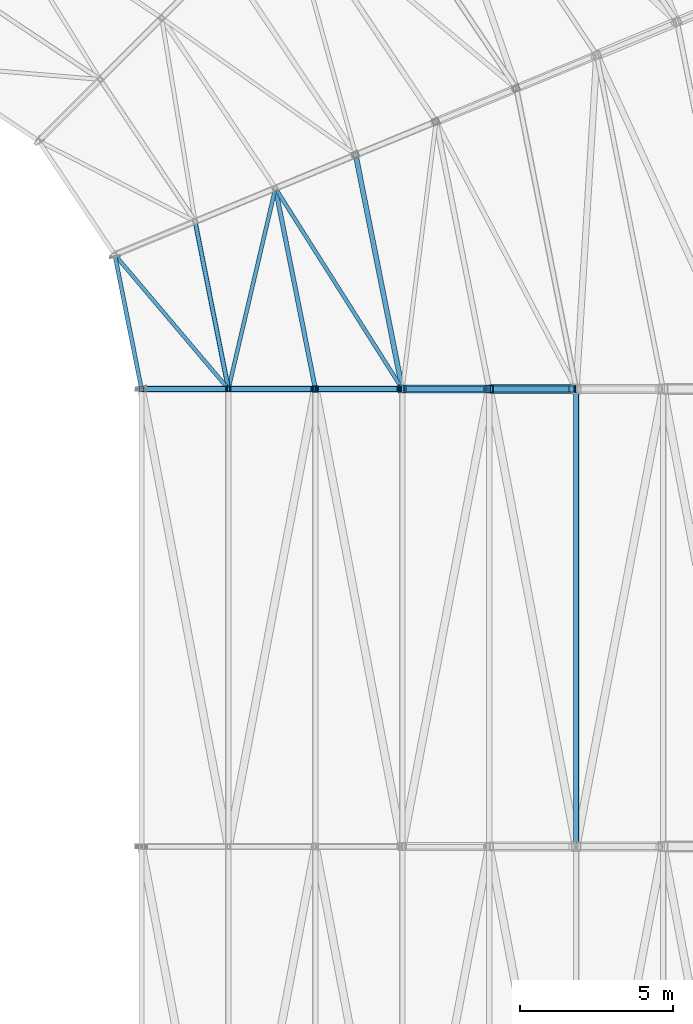
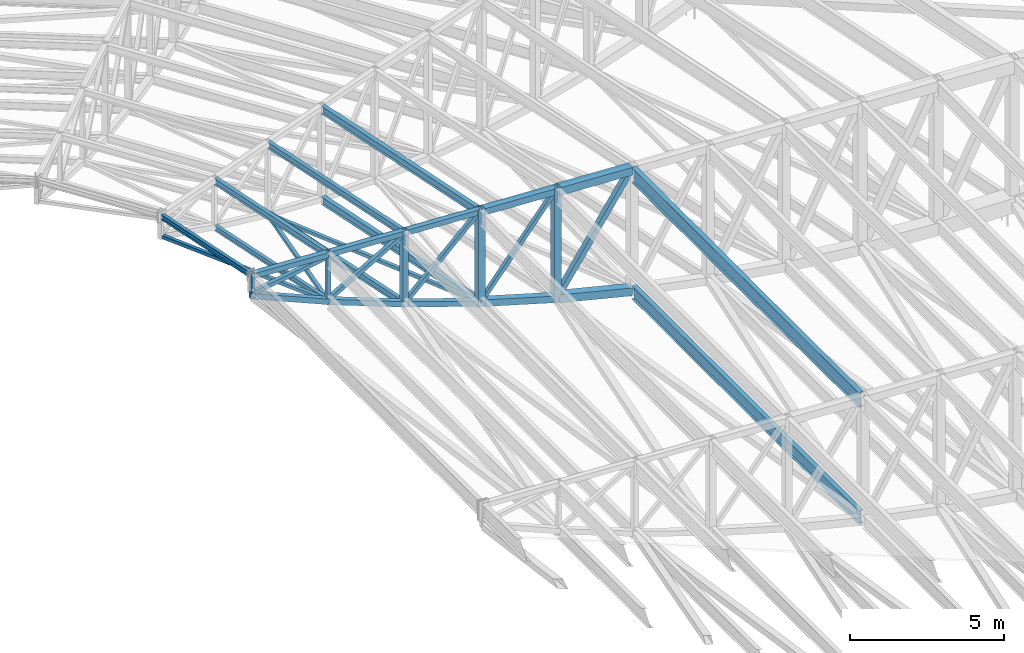
# One storey, part 96 of 278: 17 members, 15 beams.
"""IFC4 building model written with IfcOpenShell, lengths in metres."""

from ifc_helpers import new_model, si_unit, direction, frame, origin, origin_2d, place, context, subcontext, project, spatial, hollow_rectangle, i_section, extrude, material, material_profile, profile_set, type_object, element, save


model = new_model("IFC4")

# Units and contexts
model_context = context("Model", 3, precision=1e-05, world=origin(), true_north=direction((0.0, 1.0)))
body_context = subcontext(model_context, "Body", "Model", "MODEL_VIEW")
ifc_project = project(units=[si_unit("LENGTHUNIT", "METRE"), si_unit("AREAUNIT", "SQUARE_METRE"), si_unit("VOLUMEUNIT", "CUBIC_METRE"), si_unit("PLANEANGLEUNIT", "RADIAN"), si_unit("MASSUNIT", "GRAM", prefix="KILO")], contexts=[model_context])

# Site, building, storey
site_placement = place(None, origin())
site = spatial("IfcSite", under=ifc_project, at=site_placement, CompositionType="ELEMENT")
building_placement = place(site_placement, origin())
building = spatial("IfcBuilding", under=site, at=building_placement, Name="Ogive Plaza Stadium", CompositionType="ELEMENT")
storey_placement = place(building_placement, frame((0.0, 0.0, 29.0)))
storey = spatial("IfcBuildingStorey", under=building, at=storey_placement, Name="Roof", CompositionType="ELEMENT", Elevation=29.0)

# Members
ifc_material_1 = material(Name="Steel ASTM A500 Grade C", Category="steel")
ifc_material_profile_1 = material_profile(ifc_material_1, hollow_rectangle(XDim=0.126953125, YDim=0.126953125, WallThickness=0.005859375, at=origin_2d()), Name="HSS5X5X1/4")
ifc_profile_set_1 = profile_set([ifc_material_profile_1], Name="Steel ASTM A500 Grade C")
member_type_1 = type_object("IfcMemberType", Name="Roof plan brace HSS5X5X1/4", PredefinedType="BRACE", material=ifc_profile_set_1)
member_1_placement = place(storey_placement, frame((44.670166015625, 56.84716796875, 6.51171875), z_axis=(0.632084810246, -0.746705370574, -0.207122867429), x_axis=(0.763256638143, 0.646095429739, 0.0)))
element("IfcMember", 1, at=member_1_placement, inside=storey, type_object=member_type_1, Name="ROOF BRACE B40 1", PredefinedType="BRACE", context=body_context, shape_type="SweptSolid", body=[
    extrude(hollow_rectangle(XDim=0.126953125, YDim=0.126953125, WallThickness=0.005859375, at=origin_2d()), origin(), (0.0, 0.0, 1.0), 5.695556640625),
])
member_2_placement = place(storey_placement, frame((48.364501953125, 52.5615234375, 5.295654296875), z_axis=(0.224974455098, 0.961217902804, -0.159520023456), x_axis=(-0.973686254096, 0.227892690942, 0.0)))
element("IfcMember", 2, at=member_2_placement, inside=storey, type_object=member_type_1, Name="ROOF BRACE B40 2", PredefinedType="BRACE", context=body_context, shape_type="SweptSolid", body=[
    extrude(hollow_rectangle(XDim=0.126953125, YDim=0.126953125, WallThickness=0.005859375, at=origin_2d()), origin(), (0.0, 0.0, 1.0), 6.6728515625),
])
member_3_placement = place(storey_placement, frame((49.921875, 59.032958984375, 4.206298828125), z_axis=(0.530140708095, -0.838964253402, -0.122840592371), x_axis=(0.845366710176, 0.534186414397, 0.0)))
element("IfcMember", 3, at=member_3_placement, inside=storey, type_object=member_type_1, Name="ROOF BRACE B40 3", PredefinedType="BRACE", context=body_context, shape_type="SweptSolid", body=[
    extrude(hollow_rectangle(XDim=0.126953125, YDim=0.126953125, WallThickness=0.005859375, at=origin_2d()), origin(), (0.0, 0.0, 1.0), 7.65576171875),
])
ifc_material_2 = material(Name="Steel ASTM A992 Grade 50", Category="steel")
ifc_material_profile_2 = material_profile(ifc_material_2, i_section(OverallWidth=0.14599609375, OverallDepth=0.25830078125, WebThickness=0.006103515625, FlangeThickness=0.009033203125, at=origin_2d()), Name="W10X22")
ifc_profile_set_2 = profile_set([ifc_material_profile_2], Name="Steel ASTM A992 Grade 50")
member_type_2 = type_object("IfcMemberType", Name="Roof plan strut W10X22", PredefinedType="STRUT", material=ifc_profile_set_2)
member_4_placement = place(storey_placement, frame((49.90283203125, 59.021240234375, 4.213623046875), z_axis=(0.195099869772, -0.980783381188, 0.0), x_axis=(0.980783381188, 0.195099869772, 0.0)))
element("IfcMember", 4, at=member_4_placement, inside=storey, type_object=member_type_2, Name="ROOF STRUT B40 2", PredefinedType="STRUT", context=body_context, shape_type="SweptSolid", body=[
    extrude(i_section(OverallWidth=0.14599609375, OverallDepth=0.25830078125, WebThickness=0.006103515625, FlangeThickness=0.009033203125, at=origin_2d()), origin(), (0.0, 0.0, 1.0), 6.560791015625),
])
ifc_material_3 = material(Name="Steel ASTM A992 Grade 50", Category="steel")
ifc_material_profile_3 = material_profile(ifc_material_3, i_section(OverallWidth=0.164794921875, OverallDepth=0.310302734375, WebThickness=0.005859375, FlangeThickness=0.009765625, at=origin_2d()), Name="W12X26")
ifc_profile_set_3 = profile_set([ifc_material_profile_3], Name="Steel ASTM A992 Grade 50")
member_type_3 = type_object("IfcMemberType", Name="Roof plan strut W12X26", PredefinedType="STRUT", material=ifc_profile_set_3)
member_5_placement = place(storey_placement, frame((52.541259765625, 60.08447265625, 3.249755859375), z_axis=(0.195102482268, -0.9807828615, 0.0), x_axis=(0.9807828615, 0.195102482268, 0.0)))
element("IfcMember", 5, at=member_5_placement, inside=storey, type_object=member_type_3, Name="ROOF STRUT B40 3", PredefinedType="STRUT", context=body_context, shape_type="SweptSolid", body=[
    extrude(i_section(OverallWidth=0.164794921875, OverallDepth=0.310302734375, WebThickness=0.005859375, FlangeThickness=0.009765625, at=origin_2d()), origin(), (0.0, 0.0, 1.0), 7.643310546875),
])
ifc_material_4 = material(Name="Steel ASTM A992 Grade 50", Category="steel")
ifc_material_profile_4 = material_profile(ifc_material_4, i_section(OverallWidth=0.1650390625, OverallDepth=0.524658203125, WebThickness=0.0087890625, FlangeThickness=0.011474609375, at=origin_2d()), Name="W21X44")
ifc_profile_set_4 = profile_set([ifc_material_profile_4], Name="Steel ASTM A992 Grade 50")
member_type_4 = type_object("IfcMemberType", Name="Roof plan strut W21X44", PredefinedType="STRUT", material=ifc_profile_set_4)
member_6_placement = place(storey_placement, frame((59.75, 52.377685546875, 1.758544921875), z_axis=(0.0, -1.0, 0.0), x_axis=(1.0, 0.0, 0.0)))
element("IfcMember", 6, at=member_6_placement, inside=storey, type_object=member_type_4, Name="ROOF STRUT B01 5", PredefinedType="STRUT", context=body_context, shape_type="SweptSolid", body=[
    extrude(i_section(OverallWidth=0.1650390625, OverallDepth=0.524658203125, WebThickness=0.0087890625, FlangeThickness=0.011474609375, at=origin_2d()), origin(), (0.0, 0.0, 1.0), 14.75537109375),
])
ifc_material_5 = material(Name="Steel ASTM A992 Grade 50", Category="steel")
ifc_material_profile_5 = material_profile(ifc_material_5, i_section(OverallWidth=0.13330078125, OverallDepth=0.206787109375, WebThickness=0.005859375, FlangeThickness=0.00830078125, at=origin_2d()), Name="W8X18")
ifc_profile_set_5 = profile_set([ifc_material_profile_5], Name="Steel ASTM A992 Grade 50")
member_type_5 = type_object("IfcMemberType", Name="Roof plan strut W8X18", PredefinedType="STRUT", material=ifc_profile_set_5)
member_7_placement = place(storey_placement, frame((47.26953125, 57.931640625, 5.305908203125), z_axis=(0.195104522491, -0.980782455646, 0.0), x_axis=(0.980782455646, 0.195104522491, 0.0)))
element("IfcMember", 7, at=member_7_placement, inside=storey, type_object=member_type_5, Name="ROOF STRUT B40 1", PredefinedType="STRUT", context=body_context, shape_type="SweptSolid", body=[
    extrude(i_section(OverallWidth=0.13330078125, OverallDepth=0.206787109375, WebThickness=0.005859375, FlangeThickness=0.00830078125, at=origin_2d()), origin(), (0.0, 0.0, 1.0), 5.47705078125),
])
ifc_material_6 = material(Name="Steel ASTM A992 Grade 50", Category="steel")
ifc_material_profile_6 = material_profile(ifc_material_6, i_section(OverallWidth=0.14599609375, OverallDepth=0.25830078125, WebThickness=0.006103515625, FlangeThickness=0.009033203125, at=origin_2d()), Name="W10X22")
ifc_profile_set_6 = profile_set([ifc_material_profile_6], Name="Steel ASTM A992 Grade 50")
member_type_6 = type_object("IfcMemberType", Name="Roof purlin W10X22", PredefinedType="PURLIN", material=ifc_profile_set_6)
member_8_placement = place(storey_placement, frame((47.269775390625, 57.930419921875, 7.1533203125), z_axis=(0.195104062379, -0.980782547175, 0.0), x_axis=(0.980782547175, 0.195104062379, 0.0)))
element("IfcMember", 8, at=member_8_placement, inside=storey, type_object=member_type_6, Name="ROOF PURLIN B40 1", PredefinedType="PURLIN", context=body_context, shape_type="SweptSolid", body=[
    extrude(i_section(OverallWidth=0.14599609375, OverallDepth=0.25830078125, WebThickness=0.006103515625, FlangeThickness=0.009033203125, at=origin_2d()), origin(), (0.0, 0.0, 1.0), 5.474609375),
])
member_9_placement = place(storey_placement, frame((49.90283203125, 59.021240234375, 7.0107421875), z_axis=(0.195099869772, -0.980783381188, 0.0), x_axis=(0.980783381188, 0.195099869772, 0.0)))
element("IfcMember", 9, at=member_9_placement, inside=storey, type_object=member_type_6, Name="ROOF PURLIN B40 2", PredefinedType="PURLIN", context=body_context, shape_type="SweptSolid", body=[
    extrude(i_section(OverallWidth=0.14599609375, OverallDepth=0.25830078125, WebThickness=0.006103515625, FlangeThickness=0.009033203125, at=origin_2d()), origin(), (0.0, 0.0, 1.0), 6.560791015625),
])
ifc_material_7 = material(Name="Steel ASTM A992 Grade 50", Category="steel")
ifc_material_profile_7 = material_profile(ifc_material_7, i_section(OverallWidth=0.164794921875, OverallDepth=0.310302734375, WebThickness=0.005859375, FlangeThickness=0.009765625, at=origin_2d()), Name="W12X26")
ifc_profile_set_7 = profile_set([ifc_material_profile_7], Name="Steel ASTM A992 Grade 50")
member_type_7 = type_object("IfcMemberType", Name="Roof purlin W12X26", PredefinedType="PURLIN", material=ifc_profile_set_7)
member_10_placement = place(storey_placement, frame((52.541259765625, 60.08447265625, 6.84228515625), z_axis=(0.195102482268, -0.9807828615, 0.0), x_axis=(0.9807828615, 0.195102482268, 0.0)))
element("IfcMember", 10, at=member_10_placement, inside=storey, type_object=member_type_7, Name="ROOF PURLIN B40 3", PredefinedType="PURLIN", context=body_context, shape_type="SweptSolid", body=[
    extrude(i_section(OverallWidth=0.164794921875, OverallDepth=0.310302734375, WebThickness=0.005859375, FlangeThickness=0.009765625, at=origin_2d()), origin(), (0.0, 0.0, 1.0), 7.643310546875),
])
ifc_material_8 = material(Name="Steel ASTM A992 Grade 50", Category="steel")
ifc_material_profile_8 = material_profile(ifc_material_8, i_section(OverallWidth=0.177978515625, OverallDepth=0.5986328125, WebThickness=0.010009765625, FlangeThickness=0.012939453125, at=origin_2d()), Name="W24X55")
ifc_profile_set_8 = profile_set([ifc_material_profile_8], Name="Steel ASTM A992 Grade 50")
member_type_8 = type_object("IfcMemberType", Name="Roof purlin W24X55", PredefinedType="PURLIN", material=ifc_profile_set_8)
member_11_placement = place(storey_placement, frame((59.75, 52.377685546875, 6.4130859375), z_axis=(0.0, -1.0, 0.0), x_axis=(1.0, 0.0, 0.0)))
element("IfcMember", 11, at=member_11_placement, inside=storey, type_object=member_type_8, Name="ROOF PURLIN B01 5", PredefinedType="PURLIN", context=body_context, shape_type="SweptSolid", body=[
    extrude(i_section(OverallWidth=0.177978515625, OverallDepth=0.5986328125, WebThickness=0.010009765625, FlangeThickness=0.012939453125, at=origin_2d()), origin(), (0.0, 0.0, 1.0), 14.75537109375),
])
ifc_material_9 = material(Name="Steel ASTM A992 Grade 50", Category="steel")
ifc_material_profile_9 = material_profile(ifc_material_9, i_section(OverallWidth=0.13330078125, OverallDepth=0.206787109375, WebThickness=0.005859375, FlangeThickness=0.00830078125, at=origin_2d()), Name="W8X18")
ifc_profile_set_9 = profile_set([ifc_material_profile_9], Name="Steel ASTM A992 Grade 50")
member_type_9 = type_object("IfcMemberType", Name="Roof tip ring beam W8X18", PredefinedType="MEMBER", material=ifc_profile_set_9)
member_12_placement = place(storey_placement, frame((44.636474609375, 56.841064453125, 7.321533203125), z_axis=(0.195083474499, -0.980786642434, 0.0), x_axis=(0.980786642434, 0.195083474499, 0.0)))
element("IfcMember", 12, at=member_12_placement, inside=storey, type_object=member_type_9, Name="RING BEAM B40", PredefinedType="MEMBER", context=body_context, shape_type="SweptSolid", body=[
    extrude(i_section(OverallWidth=0.13330078125, OverallDepth=0.206787109375, WebThickness=0.005859375, FlangeThickness=0.00830078125, at=origin_2d()), origin(), (0.0, 0.0, 1.0), 4.365234375),
])

# Beams
ifc_material_10 = material(Name="Steel ASTM A500 Grade C", Category="steel")
ifc_material_profile_10 = material_profile(ifc_material_10, hollow_rectangle(XDim=0.25390625, YDim=0.25390625, WallThickness=0.01171875, at=origin_2d()), Name="HSS10X10X1/2")
ifc_profile_set_10 = profile_set([ifc_material_profile_10], Name="Steel ASTM A500 Grade C")
beam_type_1 = type_object("IfcBeamType", Name="Roof truss bottom chord HSS10X10X1/2", PredefinedType="BEAM", material=ifc_profile_set_10)
beam_1_placement = place(storey_placement, frame((54.10009765625, 52.5, 3.265869140625), z_axis=(0.959640437259, 0.0, -0.281229854705), x_axis=(0.0, 1.0, 0.0)))
element("IfcBeam", 13, at=beam_1_placement, inside=storey, type_object=beam_type_1, Name="ROOF TRUSS T01 BOTTOM CHORD 4", PredefinedType="BEAM", context=body_context, shape_type="SweptSolid", body=[
    extrude(hollow_rectangle(XDim=0.25390625, YDim=0.25390625, WallThickness=0.01171875, at=origin_2d()), origin(), (0.0, 0.0, 1.0), 2.86572265625),
])
ifc_material_11 = material(Name="Steel ASTM A500 Grade C", Category="steel")
ifc_material_profile_11 = material_profile(ifc_material_11, hollow_rectangle(XDim=0.3046875, YDim=0.3046875, WallThickness=0.0146484375, at=origin_2d()), Name="HSS12X12X5/8")
ifc_profile_set_11 = profile_set([ifc_material_profile_11], Name="Steel ASTM A500 Grade C")
beam_type_2 = type_object("IfcBeamType", Name="Roof truss bottom chord HSS12X12X5/8", PredefinedType="BEAM", material=ifc_profile_set_11)
beam_2_placement = place(storey_placement, frame((56.949951171875, 52.5, 2.45751953125), z_axis=(0.970607032995, 0.0, -0.240669872439), x_axis=(0.0, 1.0, 0.0)))
element("IfcBeam", 14, at=beam_2_placement, inside=storey, type_object=beam_type_2, Name="ROOF TRUSS T01 BOTTOM CHORD 5", PredefinedType="BEAM", context=body_context, shape_type="SweptSolid", body=[
    extrude(hollow_rectangle(XDim=0.3046875, YDim=0.3046875, WallThickness=0.0146484375, at=origin_2d()), origin(), (0.0, 0.0, 1.0), 2.833251953125),
])
ifc_material_12 = material(Name="Steel ASTM A500 Grade C", Category="steel")
ifc_material_profile_12 = material_profile(ifc_material_12, hollow_rectangle(XDim=0.203125, YDim=0.203125, WallThickness=0.01171875, at=origin_2d()), Name="HSS8X8X1/2")
ifc_profile_set_12 = profile_set([ifc_material_profile_12], Name="Steel ASTM A500 Grade C")
beam_type_3 = type_object("IfcBeamType", Name="Roof truss bottom chord HSS8X8X1/2", PredefinedType="BEAM", material=ifc_profile_set_12)
beam_3_placement = place(storey_placement, frame((45.5400390625, 52.5, 6.518310546875), z_axis=(0.919215459426, 0.0, -0.393754922702), x_axis=(0.0, 1.0, 0.0)))
element("IfcBeam", 15, at=beam_3_placement, inside=storey, type_object=beam_type_3, Name="ROOF TRUSS T01 BOTTOM CHORD 1", PredefinedType="BEAM", context=body_context, shape_type="SweptSolid", body=[
    extrude(hollow_rectangle(XDim=0.203125, YDim=0.203125, WallThickness=0.01171875, at=origin_2d()), origin(), (0.0, 0.0, 1.0), 3.04736328125),
])
beam_4_placement = place(storey_placement, frame((48.386474609375, 52.5, 5.299072265625), z_axis=(0.933780874892, 0.0, -0.357845326484), x_axis=(0.0, 1.0, 0.0)))
element("IfcBeam", 16, at=beam_4_placement, inside=storey, type_object=beam_type_3, Name="ROOF TRUSS T01 BOTTOM CHORD 2", PredefinedType="BEAM", context=body_context, shape_type="SweptSolid", body=[
    extrude(hollow_rectangle(XDim=0.203125, YDim=0.203125, WallThickness=0.01171875, at=origin_2d()), origin(), (0.0, 0.0, 1.0), 2.97314453125),
])
beam_5_placement = place(storey_placement, frame((51.24072265625, 52.5, 4.20556640625), z_axis=(0.947299736415, 0.0, -0.320348574817), x_axis=(0.0, 1.0, 0.0)))
element("IfcBeam", 17, at=beam_5_placement, inside=storey, type_object=beam_type_3, Name="ROOF TRUSS T01 BOTTOM CHORD 3", PredefinedType="BEAM", context=body_context, shape_type="SweptSolid", body=[
    extrude(hollow_rectangle(XDim=0.203125, YDim=0.203125, WallThickness=0.01171875, at=origin_2d()), origin(), (0.0, 0.0, 1.0), 2.912841796875),
])

# Members
ifc_material_13 = material(Name="Steel ASTM A500 Grade C", Category="steel")
ifc_material_profile_13 = material_profile(ifc_material_13, hollow_rectangle(XDim=0.15234375, YDim=0.15234375, WallThickness=0.005859375, at=origin_2d()), Name="HSS6X6X1/4")
ifc_profile_set_13 = profile_set([ifc_material_profile_13], Name="Steel ASTM A500 Grade C")
member_type_10 = type_object("IfcMemberType", Name="Roof truss diagonal HSS6X6X1/4", PredefinedType="BRACE", material=ifc_profile_set_13)
member_13_placement = place(storey_placement, frame((45.576171875, 52.5, 6.628173828125), z_axis=(0.986299671123, 0.0, 0.164963507307), x_axis=(0.0, 1.0, 0.0)))
element("IfcMember", 18, at=member_13_placement, inside=storey, type_object=member_type_10, Name="ROOF TRUSS T01 DIAGONAL 1", PredefinedType="BRACE", context=body_context, shape_type="SweptSolid", body=[
    extrude(hollow_rectangle(XDim=0.15234375, YDim=0.15234375, WallThickness=0.005859375, at=origin_2d()), origin(), (0.0, 0.0, 1.0), 2.73486328125),
])
member_14_placement = place(storey_placement, frame((48.42626953125, 52.5, 5.407470703125), z_axis=(0.8679111184, 0.0, 0.496719529069), x_axis=(0.0, 1.0, 0.0)))
element("IfcMember", 19, at=member_14_placement, inside=storey, type_object=member_type_10, Name="ROOF TRUSS T01 DIAGONAL 2", PredefinedType="BRACE", context=body_context, shape_type="SweptSolid", body=[
    extrude(hollow_rectangle(XDim=0.15234375, YDim=0.15234375, WallThickness=0.005859375, at=origin_2d()), origin(), (0.0, 0.0, 1.0), 3.078857421875),
])
ifc_material_14 = material(Name="Steel ASTM A500 Grade C", Category="steel")
ifc_material_profile_14 = material_profile(ifc_material_14, hollow_rectangle(XDim=0.15234375, YDim=0.15234375, WallThickness=0.0087890625, at=origin_2d()), Name="HSS6X6X3/8")
ifc_profile_set_14 = profile_set([ifc_material_profile_14], Name="Steel ASTM A500 Grade C")
member_type_11 = type_object("IfcMemberType", Name="Roof truss diagonal HSS6X6X3/8", PredefinedType="BRACE", material=ifc_profile_set_14)
member_15_placement = place(storey_placement, frame((51.301513671875, 52.5, 4.315185546875), z_axis=(0.726588919749, 0.0, 0.687072442832), x_axis=(0.0, 1.0, 0.0)))
element("IfcMember", 20, at=member_15_placement, inside=storey, type_object=member_type_11, Name="ROOF TRUSS T01 DIAGONAL 3", PredefinedType="BRACE", context=body_context, shape_type="SweptSolid", body=[
    extrude(hollow_rectangle(XDim=0.15234375, YDim=0.15234375, WallThickness=0.0087890625, at=origin_2d()), origin(), (0.0, 0.0, 1.0), 3.608154296875),
])
member_16_placement = place(storey_placement, frame((54.177001953125, 52.5, 3.40234375), z_axis=(0.630150764463, 0.0, 0.77647280316), x_axis=(0.0, 1.0, 0.0)))
element("IfcMember", 21, at=member_16_placement, inside=storey, type_object=member_type_11, Name="ROOF TRUSS T01 DIAGONAL 4", PredefinedType="BRACE", context=body_context, shape_type="SweptSolid", body=[
    extrude(hollow_rectangle(XDim=0.15234375, YDim=0.15234375, WallThickness=0.0087890625, at=origin_2d()), origin(), (0.0, 0.0, 1.0), 4.11962890625),
])
ifc_material_15 = material(Name="Steel ASTM A500 Grade C", Category="steel")
ifc_material_profile_15 = material_profile(ifc_material_15, hollow_rectangle(XDim=0.203125, YDim=0.203125, WallThickness=0.0087890625, at=origin_2d()), Name="HSS8X8X3/8")
ifc_profile_set_15 = profile_set([ifc_material_profile_15], Name="Steel ASTM A500 Grade C")
member_type_12 = type_object("IfcMemberType", Name="Roof truss diagonal HSS8X8X3/8", PredefinedType="BRACE", material=ifc_profile_set_15)
member_17_placement = place(storey_placement, frame((57.027099609375, 52.5, 2.617919921875), z_axis=(0.561338440243, 0.0, 0.827586343233), x_axis=(0.0, 1.0, 0.0)))
element("IfcMember", 22, at=member_17_placement, inside=storey, type_object=member_type_12, Name="ROOF TRUSS T01 DIAGONAL 5", PredefinedType="BRACE", context=body_context, shape_type="SweptSolid", body=[
    extrude(hollow_rectangle(XDim=0.203125, YDim=0.203125, WallThickness=0.0087890625, at=origin_2d()), origin(), (0.0, 0.0, 1.0), 4.579345703125),
])

# Beams
ifc_material_16 = material(Name="Steel ASTM A500 Grade C", Category="steel")
ifc_material_profile_16 = material_profile(ifc_material_16, hollow_rectangle(XDim=0.25390625, YDim=0.25390625, WallThickness=0.01171875, at=origin_2d()), Name="HSS10X10X1/2")
ifc_profile_set_16 = profile_set([ifc_material_profile_16], Name="Steel ASTM A500 Grade C")
beam_type_4 = type_object("IfcBeamType", Name="Roof truss post HSS10X10X1/2", PredefinedType="BEAM", material=ifc_profile_set_16)
beam_6_placement = place(storey_placement, frame((54.050048828125, 52.5, 3.148193359375), z_axis=(0.0, 0.0, 1.0), x_axis=(0.0, 1.0, 0.0)))
element("IfcBeam", 23, at=beam_6_placement, inside=storey, type_object=beam_type_4, Name="ROOF TRUSS T01 POST 4", PredefinedType="BEAM", context=body_context, shape_type="SweptSolid", body=[
    extrude(hollow_rectangle(XDim=0.25390625, YDim=0.25390625, WallThickness=0.01171875, at=origin_2d()), origin(), (0.0, 0.0, 1.0), 3.849365234375),
])
beam_7_placement = place(storey_placement, frame((56.89990234375, 52.5, 2.31298828125), z_axis=(0.0, 0.0, 1.0), x_axis=(0.0, 1.0, 0.0)))
element("IfcBeam", 24, at=beam_7_placement, inside=storey, type_object=beam_type_4, Name="ROOF TRUSS T01 POST 5", PredefinedType="BEAM", context=body_context, shape_type="SweptSolid", body=[
    extrude(hollow_rectangle(XDim=0.25390625, YDim=0.25390625, WallThickness=0.01171875, at=origin_2d()), origin(), (0.0, 0.0, 1.0), 4.5419921875),
])
ifc_material_17 = material(Name="Steel ASTM A500 Grade C", Category="steel")
ifc_material_profile_17 = material_profile(ifc_material_17, hollow_rectangle(XDim=0.15234375, YDim=0.15234375, WallThickness=0.0087890625, at=origin_2d()), Name="HSS6X6X3/8")
ifc_profile_set_17 = profile_set([ifc_material_profile_17], Name="Steel ASTM A500 Grade C")
beam_type_5 = type_object("IfcBeamType", Name="Roof truss post HSS6X6X3/8", PredefinedType="BEAM", material=ifc_profile_set_17)
beam_8_placement = place(storey_placement, frame((45.5, 52.5, 6.425048828125), z_axis=(0.0, 0.0, 1.0), x_axis=(0.0, 1.0, 0.0)))
element("IfcBeam", 25, at=beam_8_placement, inside=storey, type_object=beam_type_5, Name="ROOF TRUSS T01 POST 1", PredefinedType="BEAM", context=body_context, shape_type="SweptSolid", body=[
    extrude(hollow_rectangle(XDim=0.15234375, YDim=0.15234375, WallThickness=0.0087890625, at=origin_2d()), origin(), (0.0, 0.0, 1.0), 1.0),
])
beam_9_placement = place(storey_placement, frame((48.35009765625, 52.5, 5.204345703125), z_axis=(0.0, 0.0, 1.0), x_axis=(0.0, 1.0, 0.0)))
element("IfcBeam", 26, at=beam_9_placement, inside=storey, type_object=beam_type_5, Name="ROOF TRUSS T01 POST 2", PredefinedType="BEAM", context=body_context, shape_type="SweptSolid", body=[
    extrude(hollow_rectangle(XDim=0.15234375, YDim=0.15234375, WallThickness=0.0087890625, at=origin_2d()), origin(), (0.0, 0.0, 1.0), 2.078125),
])
ifc_material_18 = material(Name="Steel ASTM A500 Grade C", Category="steel")
ifc_material_profile_18 = material_profile(ifc_material_18, hollow_rectangle(XDim=0.203125, YDim=0.203125, WallThickness=0.0087890625, at=origin_2d()), Name="HSS8X8X3/8")
ifc_profile_set_18 = profile_set([ifc_material_profile_18], Name="Steel ASTM A500 Grade C")
beam_type_6 = type_object("IfcBeamType", Name="Roof truss post HSS8X8X3/8", PredefinedType="BEAM", material=ifc_profile_set_18)
beam_10_placement = place(storey_placement, frame((51.199951171875, 52.5, 4.112060546875), z_axis=(0.0, 0.0, 1.0), x_axis=(0.0, 1.0, 0.0)))
element("IfcBeam", 27, at=beam_10_placement, inside=storey, type_object=beam_type_6, Name="ROOF TRUSS T01 POST 3", PredefinedType="BEAM", context=body_context, shape_type="SweptSolid", body=[
    extrude(hollow_rectangle(XDim=0.203125, YDim=0.203125, WallThickness=0.0087890625, at=origin_2d()), origin(), (0.0, 0.0, 1.0), 3.02783203125),
])
ifc_material_19 = material(Name="Steel ASTM A500 Grade C", Category="steel")
ifc_material_profile_19 = material_profile(ifc_material_19, hollow_rectangle(XDim=0.25390625, YDim=0.25390625, WallThickness=0.0087890625, at=origin_2d()), Name="HSS10X10X3/8")
ifc_profile_set_19 = profile_set([ifc_material_profile_19], Name="Steel ASTM A500 Grade C")
beam_type_7 = type_object("IfcBeamType", Name="Roof truss top chord HSS10X10X3/8", PredefinedType="BEAM", material=ifc_profile_set_19)
beam_11_placement = place(storey_placement, frame((54.10009765625, 52.5, 6.867919921875), z_axis=(0.998748798523, 0.0, -0.05000837379), x_axis=(0.0, 1.0, 0.0)))
element("IfcBeam", 28, at=beam_11_placement, inside=storey, type_object=beam_type_7, Name="ROOF TRUSS T01 TOP CHORD 4", PredefinedType="BEAM", context=body_context, shape_type="SweptSolid", body=[
    extrude(hollow_rectangle(XDim=0.25390625, YDim=0.25390625, WallThickness=0.0087890625, at=origin_2d()), origin(), (0.0, 0.0, 1.0), 2.75341796875),
])
ifc_material_20 = material(Name="Steel ASTM A500 Grade C", Category="steel")
ifc_material_profile_20 = material_profile(ifc_material_20, hollow_rectangle(XDim=0.3046875, YDim=0.3046875, WallThickness=0.0087890625, at=origin_2d()), Name="HSS12X12X3/8")
ifc_profile_set_20 = profile_set([ifc_material_profile_20], Name="Steel ASTM A500 Grade C")
beam_type_8 = type_object("IfcBeamType", Name="Roof truss top chord HSS12X12X3/8", PredefinedType="BEAM", material=ifc_profile_set_20)
beam_12_placement = place(storey_placement, frame((56.949951171875, 52.5, 6.699951171875), z_axis=(0.998753223187, 0.0, -0.049919927615), x_axis=(0.0, 1.0, 0.0)))
element("IfcBeam", 29, at=beam_12_placement, inside=storey, type_object=beam_type_8, Name="ROOF TRUSS T01 TOP CHORD 5", PredefinedType="BEAM", context=body_context, shape_type="SweptSolid", body=[
    extrude(hollow_rectangle(XDim=0.3046875, YDim=0.3046875, WallThickness=0.0087890625, at=origin_2d()), origin(), (0.0, 0.0, 1.0), 2.75341796875),
])
ifc_material_21 = material(Name="Steel ASTM A500 Grade C", Category="steel")
ifc_material_profile_21 = material_profile(ifc_material_21, hollow_rectangle(XDim=0.203125, YDim=0.203125, WallThickness=0.0087890625, at=origin_2d()), Name="HSS8X8X3/8")
ifc_profile_set_21 = profile_set([ifc_material_profile_21], Name="Steel ASTM A500 Grade C")
beam_type_9 = type_object("IfcBeamType", Name="Roof truss top chord HSS8X8X3/8", PredefinedType="BEAM", material=ifc_profile_set_21)
beam_13_placement = place(storey_placement, frame((45.541259765625, 52.5, 7.3212890625), z_axis=(0.998751459876, 0.0, -0.049955193873), x_axis=(0.0, 1.0, 0.0)))
element("IfcBeam", 30, at=beam_13_placement, inside=storey, type_object=beam_type_9, Name="ROOF TRUSS T01 TOP CHORD 1", PredefinedType="BEAM", context=body_context, shape_type="SweptSolid", body=[
    extrude(hollow_rectangle(XDim=0.203125, YDim=0.203125, WallThickness=0.0087890625, at=origin_2d()), origin(), (0.0, 0.0, 1.0), 2.77099609375),
])
beam_14_placement = place(storey_placement, frame((48.39111328125, 52.5, 7.1787109375), z_axis=(0.998752338878, 0.0, -0.049937616944), x_axis=(0.0, 1.0, 0.0)))
element("IfcBeam", 31, at=beam_14_placement, inside=storey, type_object=beam_type_9, Name="ROOF TRUSS T01 TOP CHORD 2", PredefinedType="BEAM", context=body_context, shape_type="SweptSolid", body=[
    extrude(hollow_rectangle(XDim=0.203125, YDim=0.203125, WallThickness=0.0087890625, at=origin_2d()), origin(), (0.0, 0.0, 1.0), 2.76220703125),
])
beam_15_placement = place(storey_placement, frame((51.25, 52.5, 7.035888671875), z_axis=(0.998748798523, 0.0, -0.05000837379), x_axis=(0.0, 1.0, 0.0)))
element("IfcBeam", 32, at=beam_15_placement, inside=storey, type_object=beam_type_9, Name="ROOF TRUSS T01 TOP CHORD 3", PredefinedType="BEAM", context=body_context, shape_type="SweptSolid", body=[
    extrude(hollow_rectangle(XDim=0.203125, YDim=0.203125, WallThickness=0.0087890625, at=origin_2d()), origin(), (0.0, 0.0, 1.0), 2.75341796875),
])

save(model, "model.ifc")
